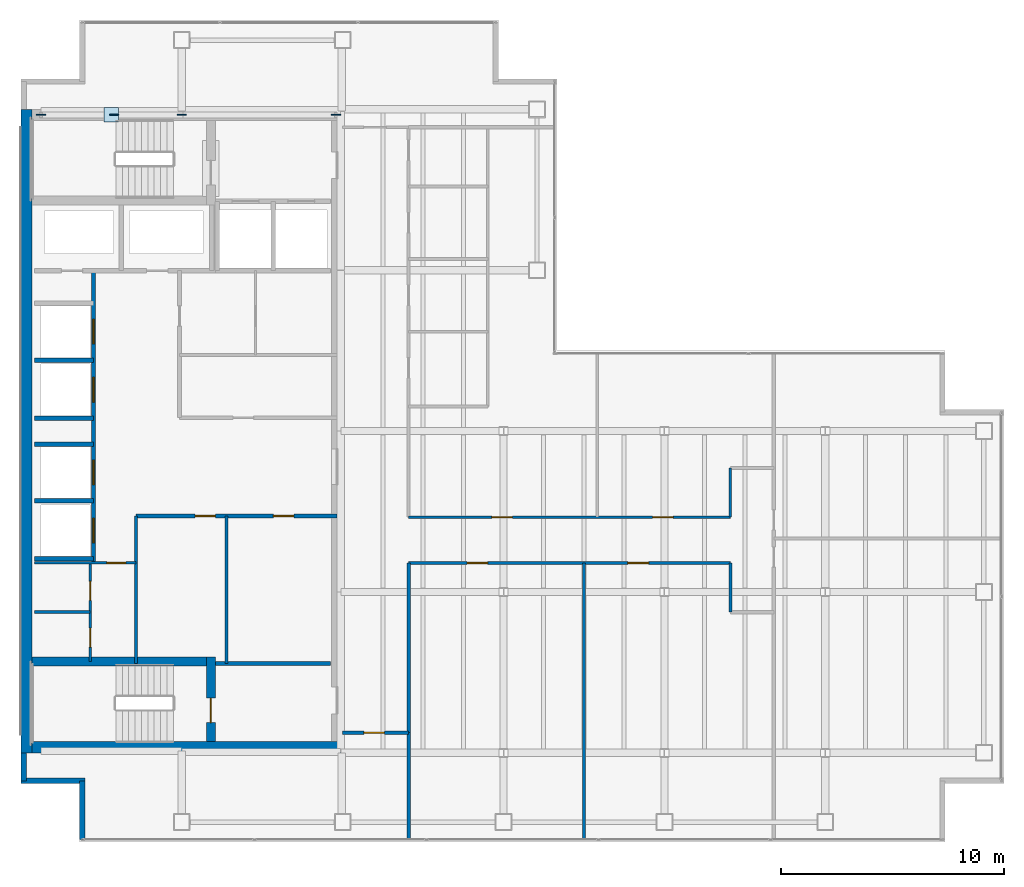
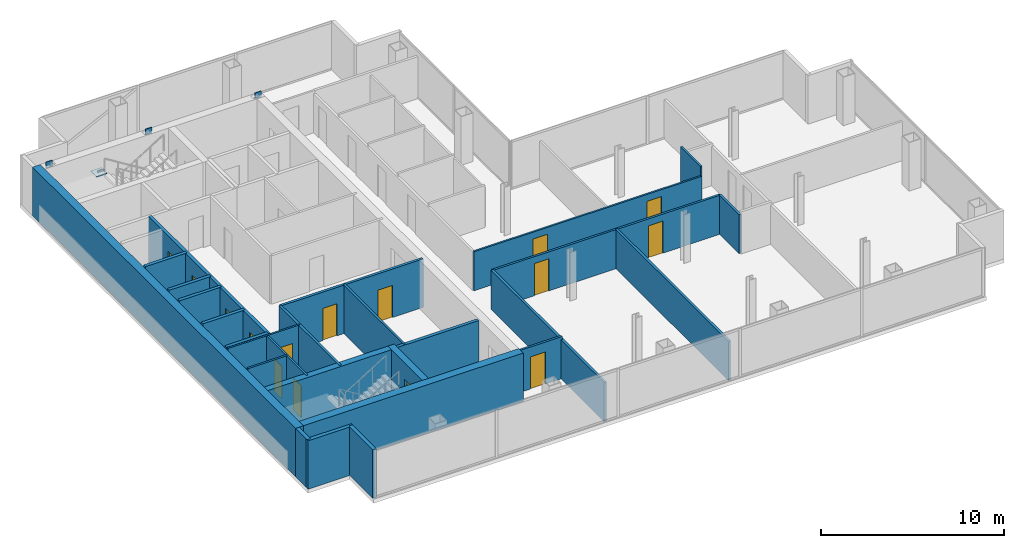
# One storey, part 20 of 23: 28 walls, 15 doors, 5 plates, 15 openings.
"""IFC4 building model written with IfcOpenShell, lengths in metres."""

import ifcopenshell
import ifcopenshell.guid

model = None  # the IFC model being written
_history = None  # IfcOwnerHistory: only IFC2X3 demands one
_inside = {}  # id of a spatial element -> (the spatial element, [elements in it])
_under = {}  # id of a project, library or spatial element -> (it, [spatial elements below it])
_declared = {}  # id of a project -> (the project, [libraries it declares])
_typed = {}  # id of a type object -> (the type object, [elements of that type])
_made_of = {}  # id of a material, layer set ... -> (it, [elements and type objects made of it])


def new_model(schema):
    """Start an empty IFC model of exactly this schema.

    Asked for "IFC4X3", IfcOpenShell would pick the latest addendum, in which some entities
    have other attributes; the version numbers below select the first issue.
    IFC2X3 requires an IfcOwnerHistory on every rooted entity: one is made here for all.
    """
    global model, _history
    if schema == "IFC4X3":
        model = ifcopenshell.file(schema_version=(4, 3, 0, 0))
    else:
        model = ifcopenshell.file(schema=schema)
    _inside.clear()
    _under.clear()
    _declared.clear()
    _typed.clear()
    _made_of.clear()
    _history = None
    if model.schema == "IFC2X3":
        org = make("IfcOrganization", Name="unknown")
        user = make(
            "IfcPersonAndOrganization",
            ThePerson=make("IfcPerson", FamilyName="unknown"),
            TheOrganization=org,
        )
        app = make(
            "IfcApplication",
            ApplicationDeveloper=org,
            Version="unknown",
            ApplicationFullName="unknown",
            ApplicationIdentifier="unknown",
        )
        _history = make(
            "IfcOwnerHistory",
            OwningUser=user,
            OwningApplication=app,
            ChangeAction="ADDED",
            CreationDate=0,
        )
    return model


def make(cls, **values):
    """One entity of the class cls with the attributes given. An attribute that is None is left unset."""
    return model.create_entity(
        cls, **{name: value for name, value in values.items() if value is not None}
    )


def rooted(cls, **values):
    """An entity with a GlobalId (a new one), such as an element, a storey or a relation."""
    return make(cls, GlobalId=ifcopenshell.guid.new(), OwnerHistory=_history, **values)


def si_unit(unit_type, name, prefix=None):
    """IfcSIUnit, for example si_unit("LENGTHUNIT", "METRE", prefix="MILLI")."""
    return make("IfcSIUnit", UnitType=unit_type, Prefix=prefix, Name=name)


def assignment(units):
    """IfcUnitAssignment: the units of a project."""
    return None if units is None else make("IfcUnitAssignment", Units=units)


def point(xyz):
    """IfcCartesianPoint."""
    return None if xyz is None else make("IfcCartesianPoint", Coordinates=xyz)


def direction(xyz):
    """IfcDirection."""
    return None if xyz is None else make("IfcDirection", DirectionRatios=xyz)


def frame(location, z_axis=None, x_axis=None):
    """IfcAxis2Placement3D, a coordinate frame: its origin and axes. An axis left out is left unset."""
    return make(
        "IfcAxis2Placement3D",
        Location=point(location),
        Axis=direction(z_axis),
        RefDirection=direction(x_axis),
    )


def frame_2d(location, x_axis=None):
    """IfcAxis2Placement2D, a coordinate frame in the plane: its origin and x axis."""
    return make(
        "IfcAxis2Placement2D", Location=point(location), RefDirection=direction(x_axis)
    )


def origin():
    """The frame at (0, 0, 0) with its axes left unset."""
    return frame((0.0, 0.0, 0.0))


def origin_2d():
    """The frame at (0, 0) in the plane with its x axis left unset."""
    return frame_2d((0.0, 0.0))


def place(relative_to, where):
    """IfcLocalPlacement: puts the frame where relative to a parent placement (None: the world)."""
    return make(
        "IfcLocalPlacement", PlacementRelTo=relative_to, RelativePlacement=where
    )


def context(
    kind, dimensions, precision=None, world=None, true_north=None, identifier=None
):
    """IfcGeometricRepresentationContext, for example the 3D "Model" context."""
    return make(
        "IfcGeometricRepresentationContext",
        ContextIdentifier=identifier,
        ContextType=kind,
        CoordinateSpaceDimension=dimensions,
        Precision=precision,
        WorldCoordinateSystem=world,
        TrueNorth=true_north,
    )


def subcontext(parent, identifier, kind, view, scale=None):
    """IfcGeometricRepresentationSubContext, for example "Body" below "Model"."""
    return make(
        "IfcGeometricRepresentationSubContext",
        ContextIdentifier=identifier,
        ContextType=kind,
        ParentContext=parent,
        TargetScale=scale,
        TargetView=view,
    )


def project(units=None, contexts=None):
    """IfcProject with its units and contexts."""
    return rooted(
        "IfcProject",
        Name="project",
        RepresentationContexts=contexts,
        UnitsInContext=assignment(units),
    )


def spatial(cls, under=None, at=None, **own):
    """A site, building, storey or space (cls), placed at a placement, below another one or the project."""
    s = rooted(cls, ObjectPlacement=at, **own)
    if under is not None:
        _under.setdefault(under.id(), (under, []))[1].append(s)
    return s


def profile(cls, at=None, kind="AREA", **sizes):
    """A parametric profile (cls). Its sizes go by their IFC names, for example OverallWidth=200.0."""
    return make(cls, ProfileType=kind, Position=at, **sizes)


def rectangle(**sizes):
    """IfcRectangleProfileDef."""
    return profile("IfcRectangleProfileDef", **sizes)


def extrude(swept, where, along, depth):
    """IfcExtrudedAreaSolid: the profile swept, set in the frame where, extruded along a direction by depth."""
    return make(
        "IfcExtrudedAreaSolid",
        SweptArea=swept,
        Position=where,
        ExtrudedDirection=direction(along),
        Depth=depth,
    )


def shape(context_of_items, identifier, shape_type, items):
    """IfcShapeRepresentation: the items that make up one representation, for example the "Body"."""
    return make(
        "IfcShapeRepresentation",
        ContextOfItems=context_of_items,
        RepresentationIdentifier=identifier,
        RepresentationType=shape_type,
        Items=items,
    )


def material(Name=None, Category=None):
    """IfcMaterial."""
    return make("IfcMaterial", Name=Name, Category=Category)


def layer(
    of_material, thickness, ventilated=None, Name=None, Category=None, Priority=None
):
    """IfcMaterialLayer: one layer of a wall or slab, of a material (None: an air gap)."""
    return make(
        "IfcMaterialLayer",
        Material=of_material,
        LayerThickness=thickness,
        IsVentilated=ventilated,
        Name=Name,
        Category=Category,
        Priority=Priority,
    )


def layer_set(layers, Name=None):
    """IfcMaterialLayerSet."""
    return make("IfcMaterialLayerSet", MaterialLayers=layers, LayerSetName=Name)


def made_of(thing, what):
    """Note that an element or type object is made of a material, layer set ...; save() writes the relation."""
    if what is not None:
        _made_of.setdefault(what.id(), (what, []))[1].append(thing)
    return thing


def type_object(cls, material=None, **own):
    """A type object (cls), such as IfcWallType, which elements share."""
    return made_of(rooted(cls, **own), material)


def element(
    cls,
    number,
    at=None,
    inside=None,
    cuts=None,
    type_object=None,
    material=None,
    context=None,
    identifier="Body",
    shape_type=None,
    held_by="IfcProductDefinitionShape",
    body=None,
    shapes=None,
    **own,
):
    """One element of the class cls, such as IfcWall. Its Tag is "e" and its number.

    at: its placement. inside: the storey or other place that contains it. cuts: it is an
    opening in that element (IfcRelVoidsElement). A single representation is given by context,
    identifier, shape_type and body (its items); several are given by shapes. held_by: the class
    of the entity that holds the representations. save() writes the other relations.
    """
    e = rooted(cls, Tag="e%d" % number, ObjectPlacement=at, **own)
    if body is not None:
        shapes = [shape(context, identifier, shape_type, body)]
    if shapes is not None:
        e.Representation = make(held_by, Representations=shapes)
    if inside is not None:
        _inside.setdefault(inside.id(), (inside, []))[1].append(e)
    if cuts is not None:
        rooted(
            "IfcRelVoidsElement", RelatingBuildingElement=cuts, RelatedOpeningElement=e
        )
    if type_object is not None:
        _typed.setdefault(type_object.id(), (type_object, []))[1].append(e)
    return made_of(e, material)


def fill(opening, filler):
    """IfcRelFillsElement: the door or window that sits in an opening."""
    return rooted(
        "IfcRelFillsElement",
        RelatingOpeningElement=opening,
        RelatedBuildingElement=filler,
    )


def aggregate(whole, parts):
    """IfcRelAggregates: a whole, such as a stair, and the parts it consists of."""
    return rooted("IfcRelAggregates", RelatingObject=whole, RelatedObjects=parts)


def save(model, path):
    """Write the relations noted so far, then the file.

    IfcRelAggregates (storeys below a building ...), IfcRelContainedInSpatialStructure (elements
    in a storey), IfcRelDefinesByType, IfcRelAssociatesMaterial and IfcRelDeclares: one each for
    every whole, place, type object, material and project.
    """
    for whole, parts in _under.values():
        aggregate(whole, parts)
    for where, things in _inside.values():
        rooted(
            "IfcRelContainedInSpatialStructure",
            RelatedElements=things,
            RelatingStructure=where,
        )
    for kind, things in _typed.values():
        rooted("IfcRelDefinesByType", RelatedObjects=things, RelatingType=kind)
    for what, things in _made_of.values():
        rooted("IfcRelAssociatesMaterial", RelatedObjects=things, RelatingMaterial=what)
    for by, libraries in _declared.values():
        rooted("IfcRelDeclares", RelatingContext=by, RelatedDefinitions=libraries)
    model.write(path)


model = new_model("IFC4")

# Units and contexts
model_context = context("Model", 3, precision=1e-05, world=origin(), true_north=direction((0.0, 1.0)))
body_context = subcontext(model_context, "Body", "Model", "MODEL_VIEW")
ifc_project = project(units=[si_unit("LENGTHUNIT", "METRE"), si_unit("AREAUNIT", "SQUARE_METRE"), si_unit("VOLUMEUNIT", "CUBIC_METRE"), si_unit("PLANEANGLEUNIT", "RADIAN"), si_unit("MASSUNIT", "GRAM", prefix="KILO")], contexts=[model_context])

# Site, building, storey
site_placement = place(None, origin())
site = spatial("IfcSite", under=ifc_project, at=site_placement, CompositionType="ELEMENT")
building_placement = place(site_placement, origin())
building = spatial("IfcBuilding", under=site, at=building_placement, Name="Cobrela Telecom Tower", CompositionType="ELEMENT")
storey_placement = place(building_placement, frame((0.0, 0.0, 215.25)))
storey = spatial("IfcBuildingStorey", under=building, at=storey_placement, Name="L55", CompositionType="ELEMENT", Elevation=215.25)

# Plates
ifc_material_1 = material(Name="Steel ASTM A572 Grade 50", Category="steel")
ifc_layer_1 = layer(ifc_material_1, 0.0419921875)
ifc_layer_set_1 = layer_set([ifc_layer_1], Name="Steel ASTM A572 Grade 50")
plate_type = type_object("IfcPlateType", Name="PLT-NODE-ND1", PredefinedType="USERDEFINED", material=ifc_layer_set_1)
for number, where, z_axis, x_axis, name in (
    (1, (7.199951171875, 35.75, 3.0751953125), (0.0, 0.0, 1.0), (1.0, 0.0, 0.0), "Steel node plate PLT-MBR-EXO-L55-N1-A-1"),
    (2, (4.173828125, 35.75, 1.349609375), (0.0, 0.0, 1.0), (-1.0, 0.0, 0.0), "Steel node plate PLT-MBR-EXO-L55-N1-B1-1"),
    (3, (0.89990234375, 35.75, 3.0751953125), (0.0, 0.0, 1.0), (-1.0, 0.0, 0.0), "Steel node plate PLT-MBR-EXO-L55-N1-B2-1"),
):
    element("IfcPlate", number, at=place(storey_placement, frame(where, z_axis=z_axis, x_axis=x_axis)), inside=storey, type_object=plate_type, Name=name, ObjectType="GUSSET PLATE", PredefinedType="USERDEFINED", context=body_context, shape_type="SweptSolid", body=[
        extrude(rectangle(XDim=0.409912109375, YDim=0.044921875, at=origin_2d()), origin(), (0.0, 0.0, 1.0), 0.409912109375),
    ])
plate_1_placement = place(storey_placement, frame((4.050048828125, 35.75, 1.59765625), z_axis=(0.0, 0.0, 1.0), x_axis=(1.0, 0.0, 0.0)))
element("IfcPlate", 4, at=plate_1_placement, inside=storey, type_object=plate_type, Name="L55 Core Flange Steel X-Brace Central X-Crossing Gusset Plate", ObjectType="GUSSET PLATE", PredefinedType="USERDEFINED", context=body_context, shape_type="SweptSolid", body=[
    extrude(rectangle(XDim=0.64990234375, YDim=0.64990234375, at=origin_2d()), origin(), (0.0, 0.0, 1.0), 0.044921875),
])
plate_2_placement = place(storey_placement, frame((14.10009765625, 35.75, 3.0751953125), z_axis=(0.0, 0.0, 1.0), x_axis=(1.0, 0.0, 0.0)))
element("IfcPlate", 5, at=plate_2_placement, inside=storey, type_object=plate_type, Name="Steel node plate PLT-MBR-EXO-L55-N2-1", ObjectType="GUSSET PLATE", PredefinedType="USERDEFINED", context=body_context, shape_type="SweptSolid", body=[
    extrude(rectangle(XDim=0.409912109375, YDim=0.044921875, at=origin_2d()), origin(), (0.0, 0.0, 1.0), 0.409912109375),
])

# Walls
ifc_material_2 = material(Name="Concrete C40/50", Category="concrete")
ifc_layer_2 = layer(ifc_material_2, 0.5)
ifc_layer_set_2 = layer_set([ifc_layer_2], Name="Concrete C40/50")
wall_type_1 = type_object("IfcWallType", Name="WALL-CORE-C40-500", PredefinedType="SHEAR", material=ifc_layer_set_2)
wall_1_placement = place(storey_placement, frame((0.25, 7.199951171875, 0.0), z_axis=(0.0, 0.0, 1.0), x_axis=(0.0, 1.0, 0.0)))
element("IfcWall", 6, at=wall_1_placement, inside=storey, type_object=wall_type_1, Name="L55 West Core Shear Wall", PredefinedType="SHEAR", context=body_context, shape_type="SweptSolid", body=[
    extrude(rectangle(XDim=28.800048828125, YDim=0.5, at=frame_2d((14.39990234375, 0.0))), origin(), (0.0, 0.0, 1.0), 3.239990234375),
])
wall_2_placement = place(storey_placement, frame((0.5, 7.449951171875, 0.0), z_axis=(0.0, 0.0, 1.0), x_axis=(1.0, 0.0, 0.0)))
element("IfcWall", 7, at=wall_2_placement, inside=storey, type_object=wall_type_1, Name="L55 South Core Shear Wall", PredefinedType="SHEAR", context=body_context, shape_type="SweptSolid", body=[
    extrude(rectangle(XDim=13.89990234375, YDim=0.5, at=frame_2d((6.949951171875, 0.0))), origin(), (0.0, 0.0, 1.0), 3.239990234375),
])
ifc_layer_3 = layer(ifc_material_2, 0.239990234375)
ifc_layer_set_3 = layer_set([ifc_layer_3], Name="Concrete C40/50")
wall_type_2 = type_object("IfcWallType", Name="WALL-EXT-300", PredefinedType="STANDARD", material=ifc_layer_set_3)
wall_3_placement = place(storey_placement, frame((2.75, 3.320068359375, 0.0), z_axis=(0.0, 0.0, 1.0), x_axis=(0.0, 1.0, 0.0)))
element("IfcWall", 8, at=wall_3_placement, inside=storey, type_object=wall_type_2, Name="L55 Insulated Facade Wall 01", PredefinedType="STANDARD", context=body_context, shape_type="SweptSolid", body=[
    extrude(rectangle(XDim=2.6298828125, YDim=0.239990234375, at=frame_2d((1.31494140625, 0.0))), origin(), (0.0, 0.0, 1.0), 3.239990234375),
])
wall_4_placement = place(storey_placement, frame((2.8701171875, 5.949951171875, 0.0), z_axis=(0.0, 0.0, 1.0), x_axis=(-1.0, 0.0, 0.0)))
element("IfcWall", 9, at=wall_4_placement, inside=storey, type_object=wall_type_2, Name="L55 Insulated Facade Wall 02", PredefinedType="STANDARD", context=body_context, shape_type="SweptSolid", body=[
    extrude(rectangle(XDim=2.8701171875, YDim=0.239990234375, at=frame_2d((1.43505859375, 0.0))), origin(), (0.0, 0.0, 1.0), 3.239990234375),
])
wall_5_placement = place(storey_placement, frame((0.1201171875, 5.949951171875, 0.0), z_axis=(0.0, 0.0, 1.0), x_axis=(0.0, 1.0, 0.0)))
element("IfcWall", 10, at=wall_5_placement, inside=storey, type_object=wall_type_2, Name="L55 Insulated Facade Wall 03", PredefinedType="STANDARD", context=body_context, shape_type="SweptSolid", body=[
    extrude(rectangle(XDim=1.25, YDim=0.239990234375, at=frame_2d((0.625, 0.0))), origin(), (0.0, 0.0, 1.0), 3.239990234375),
])

# Wall, opening, door
ifc_material_3 = material(Name="Fire-Rated Gypsum Plasterboard")
ifc_layer_4 = layer(ifc_material_3, 0.110107421875)
ifc_layer_set_4 = layer_set([ifc_layer_4], Name="Fire-Rated Gypsum Plasterboard")
wall_type_3 = type_object("IfcWallType", Name="WALL-PART-110", PredefinedType="PARTITIONING", material=ifc_layer_set_4)
wall_6_placement = place(storey_placement, frame((0.60009765625, 15.699951171875, 0.0), z_axis=(0.0, 0.0, 1.0), x_axis=(1.0, 0.0, 0.0)))
wall_6 = element("IfcWall", 11, at=wall_6_placement, inside=storey, type_object=wall_type_3, Name="L55 Interior Partition CW-FLEX-N", PredefinedType="PARTITIONING", context=body_context, shape_type="SweptSolid", body=[
    extrude(rectangle(XDim=4.5498046875, YDim=0.110107421875, at=frame_2d((2.27490234375, 0.0))), origin(), (0.0, 0.0, 1.0), 3.239990234375),
])
opening_1_placement = place(wall_6_placement, frame((3.25, 0.0, 0.0)))
opening_1 = element("IfcOpeningElement", 12, at=opening_1_placement, cuts=wall_6, Name="Opening DR-11", PredefinedType="OPENING", context=body_context, shape_type="SweptSolid", body=[
    extrude(rectangle(XDim=0.85009765625, YDim=2.14990234375, at=frame_2d((0.425048828125, 1.074951171875))), frame((0.0, 0.06689453125, 0.0), z_axis=(0.0, -1.0, 0.0), x_axis=(1.0, 0.0, 0.0)), (0.0, 0.0, 1.0), 0.134033203125),
])
ifc_material_4 = material(Name="Solid Engineered Oak Timber", Category="wood")
door_type_1 = type_object("IfcDoorType", Name="DOOR-INT-850", OperationType="SINGLE_SWING_LEFT", PredefinedType="DOOR", material=ifc_material_4)
door_1_placement = place(opening_1_placement, origin())
door_1 = element("IfcDoor", 13, at=door_1_placement, inside=storey, type_object=door_type_1, Name="L55 Door DR-11", OperationType="SINGLE_SWING_LEFT", OverallHeight=2.14990234375, OverallWidth=0.85009765625, PredefinedType="DOOR", context=body_context, shape_type="SweptSolid", body=[
    extrude(rectangle(XDim=0.85009765625, YDim=2.14990234375, at=frame_2d((0.425048828125, 1.074951171875))), frame((0.0, 0.02490234375, 0.0), z_axis=(0.0, -1.0, 0.0), x_axis=(1.0, 0.0, 0.0)), (0.0, 0.0, 1.0), 0.050048828125),
])
fill(opening_1, door_1)

# Wall, openings, doors
wall_7_placement = place(storey_placement, frame((17.35009765625, 17.75, 0.0), z_axis=(0.0, 0.0, 1.0), x_axis=(1.0, 0.0, 0.0)))
wall_7 = element("IfcWall", 14, at=wall_7_placement, inside=storey, type_object=wall_type_3, Name="L55 Interior Partition W-C-HN", PredefinedType="PARTITIONING", context=body_context, shape_type="SweptSolid", body=[
    extrude(rectangle(XDim=14.39990234375, YDim=0.110107421875, at=frame_2d((7.199951171875, 0.0))), origin(), (0.0, 0.0, 1.0), 2.613037109375),
])
opening_2_placement = place(wall_7_placement, frame((3.72998046875, 0.0, 0.0)))
opening_2 = element("IfcOpeningElement", 15, at=opening_2_placement, cuts=wall_7, Name="Opening DR-45", PredefinedType="OPENING", context=body_context, shape_type="SweptSolid", body=[
    extrude(rectangle(XDim=0.919921875, YDim=2.14990234375, at=frame_2d((0.4599609375, 1.074951171875))), frame((0.0, 0.06689453125, 0.0), z_axis=(0.0, -1.0, 0.0), x_axis=(1.0, 0.0, 0.0)), (0.0, 0.0, 1.0), 0.134033203125),
])
opening_3_placement = place(wall_7_placement, frame((10.919921875, 0.0, 0.0)))
opening_3 = element("IfcOpeningElement", 16, at=opening_3_placement, cuts=wall_7, Name="Opening DR-45", PredefinedType="OPENING", context=body_context, shape_type="SweptSolid", body=[
    extrude(rectangle(XDim=0.919921875, YDim=2.14990234375, at=frame_2d((0.4599609375, 1.074951171875))), frame((0.0, 0.06689453125, 0.0), z_axis=(0.0, -1.0, 0.0), x_axis=(1.0, 0.0, 0.0)), (0.0, 0.0, 1.0), 0.134033203125),
])
door_type_2 = type_object("IfcDoorType", Name="DOOR-INT-920", OperationType="SINGLE_SWING_LEFT", PredefinedType="DOOR", material=ifc_material_4)
door_2_placement = place(opening_2_placement, origin())
door_2 = element("IfcDoor", 17, at=door_2_placement, inside=storey, type_object=door_type_2, Name="L55 Door DR-45", OperationType="SINGLE_SWING_LEFT", OverallHeight=2.14990234375, OverallWidth=0.919921875, PredefinedType="DOOR", context=body_context, shape_type="SweptSolid", body=[
    extrude(rectangle(XDim=0.919921875, YDim=2.14990234375, at=frame_2d((0.4599609375, 1.074951171875))), frame((0.0, 0.02490234375, 0.0), z_axis=(0.0, -1.0, 0.0), x_axis=(1.0, 0.0, 0.0)), (0.0, 0.0, 1.0), 0.050048828125),
])
fill(opening_2, door_2)
door_3_placement = place(opening_3_placement, origin())
door_3 = element("IfcDoor", 18, at=door_3_placement, inside=storey, type_object=door_type_2, Name="L55 Door DR-45", OperationType="SINGLE_SWING_RIGHT", OverallHeight=2.14990234375, OverallWidth=0.919921875, PredefinedType="DOOR", context=body_context, shape_type="SweptSolid", body=[
    extrude(rectangle(XDim=0.919921875, YDim=2.14990234375, at=frame_2d((0.4599609375, 1.074951171875))), frame((0.0, 0.02490234375, 0.0), z_axis=(0.0, -1.0, 0.0), x_axis=(1.0, 0.0, 0.0)), (0.0, 0.0, 1.0), 0.050048828125),
])
fill(opening_3, door_3)

# Walls
wall_8_placement = place(storey_placement, frame((31.75, 17.75, 0.0), z_axis=(0.0, 0.0, 1.0), x_axis=(0.0, 1.0, 0.0)))
element("IfcWall", 19, at=wall_8_placement, inside=storey, type_object=wall_type_3, Name="L55 Interior Partition W-CT-JW2", PredefinedType="PARTITIONING", context=body_context, shape_type="SweptSolid", body=[
    extrude(rectangle(XDim=2.199951171875, YDim=0.110107421875, at=frame_2d((1.10009765625, 0.0))), origin(), (0.0, 0.0, 1.0), 3.239990234375),
])
ifc_layer_5 = layer(ifc_material_3, 0.125)
ifc_layer_set_5 = layer_set([ifc_layer_5], Name="Fire-Rated Gypsum Plasterboard")
wall_type_4 = type_object("IfcWallType", Name="WALL-PART-125", PredefinedType="PARTITIONING", material=ifc_layer_set_5)
wall_9_placement = place(storey_placement, frame((0.60009765625, 13.5, 0.0), z_axis=(0.0, 0.0, 1.0), x_axis=(1.0, 0.0, 0.0)))
element("IfcWall", 20, at=wall_9_placement, inside=storey, type_object=wall_type_4, Name="L55 Interior Partition CW-FK3-H", PredefinedType="PARTITIONING", context=body_context, shape_type="SweptSolid", body=[
    extrude(rectangle(XDim=2.5, YDim=0.125, at=frame_2d((1.25, 0.0))), origin(), (0.0, 0.0, 1.0), 3.239990234375),
])

# Wall, openings, doors
wall_10_placement = place(storey_placement, frame((3.10009765625, 11.280029296875, 0.0), z_axis=(0.0, 0.0, 1.0), x_axis=(0.0, 1.0, 0.0)))
wall_10 = element("IfcWall", 21, at=wall_10_placement, inside=storey, type_object=wall_type_4, Name="L55 Interior Partition CW-FK3-V", PredefinedType="PARTITIONING", context=body_context, shape_type="SweptSolid", body=[
    extrude(rectangle(XDim=4.419921875, YDim=0.125, at=frame_2d((2.2099609375, 0.0))), origin(), (0.0, 0.0, 1.0), 3.239990234375),
])
opening_4_placement = place(wall_10_placement, frame((0.64990234375, 0.0, 0.0)))
opening_4 = element("IfcOpeningElement", 22, at=opening_4_placement, cuts=wall_10, Name="Opening DR-11", PredefinedType="OPENING", context=body_context, shape_type="SweptSolid", body=[
    extrude(rectangle(XDim=0.85009765625, YDim=2.14990234375, at=frame_2d((0.425048828125, 1.074951171875))), frame((0.0, 0.074462890625, 0.0), z_axis=(0.0, -1.0, 0.0), x_axis=(1.0, 0.0, 0.0)), (0.0, 0.0, 1.0), 0.14892578125),
])
opening_5_placement = place(wall_10_placement, frame((2.75, 0.0, 0.0)))
opening_5 = element("IfcOpeningElement", 23, at=opening_5_placement, cuts=wall_10, Name="Opening DR-11", PredefinedType="OPENING", context=body_context, shape_type="SweptSolid", body=[
    extrude(rectangle(XDim=0.85009765625, YDim=2.14990234375, at=frame_2d((0.425048828125, 1.074951171875))), frame((0.0, 0.074462890625, 0.0), z_axis=(0.0, -1.0, 0.0), x_axis=(1.0, 0.0, 0.0)), (0.0, 0.0, 1.0), 0.14892578125),
])
door_4_placement = place(opening_4_placement, origin())
door_4 = element("IfcDoor", 24, at=door_4_placement, inside=storey, type_object=door_type_1, Name="L55 Door DR-11", OperationType="SINGLE_SWING_LEFT", OverallHeight=2.14990234375, OverallWidth=0.85009765625, PredefinedType="DOOR", context=body_context, shape_type="SweptSolid", body=[
    extrude(rectangle(XDim=0.85009765625, YDim=2.14990234375, at=frame_2d((0.425048828125, 1.074951171875))), frame((0.0, 0.02490234375, 0.0), z_axis=(0.0, -1.0, 0.0), x_axis=(1.0, 0.0, 0.0)), (0.0, 0.0, 1.0), 0.050048828125),
])
fill(opening_4, door_4)
door_5_placement = place(opening_5_placement, origin())
door_5 = element("IfcDoor", 25, at=door_5_placement, inside=storey, type_object=door_type_1, Name="L55 Door DR-11", OperationType="SINGLE_SWING_RIGHT", OverallHeight=2.14990234375, OverallWidth=0.85009765625, PredefinedType="DOOR", context=body_context, shape_type="SweptSolid", body=[
    extrude(rectangle(XDim=0.85009765625, YDim=2.14990234375, at=frame_2d((0.425048828125, 1.074951171875))), frame((0.0, 0.02490234375, 0.0), z_axis=(0.0, -1.0, 0.0), x_axis=(1.0, 0.0, 0.0)), (0.0, 0.0, 1.0), 0.050048828125),
])
fill(opening_5, door_5)

# Wall
ifc_layer_6 = layer(ifc_material_3, 0.135009765625)
ifc_layer_set_6 = layer_set([ifc_layer_6], Name="Fire-Rated Gypsum Plasterboard")
wall_type_5 = type_object("IfcWallType", Name="WALL-PART-135", PredefinedType="PARTITIONING", material=ifc_layer_set_6)
wall_11_placement = place(storey_placement, frame((9.199951171875, 11.199951171875, 0.0), z_axis=(0.0, 0.0, 1.0), x_axis=(0.0, 1.0, 0.0)))
element("IfcWall", 26, at=wall_11_placement, inside=storey, type_object=wall_type_5, Name="L55 Interior Partition CW-RECM-V", PredefinedType="PARTITIONING", context=body_context, shape_type="SweptSolid", body=[
    extrude(rectangle(XDim=6.60009765625, YDim=0.135009765625, at=frame_2d((3.300048828125, 0.0))), origin(), (0.0, 0.0, 1.0), 3.239990234375),
])

# Wall, opening, door
wall_12_placement = place(storey_placement, frame((14.39990234375, 8.10009765625, 0.0), z_axis=(0.0, 0.0, 1.0), x_axis=(1.0, 0.0, 0.0)))
wall_12 = element("IfcWall", 27, at=wall_12_placement, inside=storey, type_object=wall_type_5, Name="L55 Interior Partition W-C-S0", PredefinedType="PARTITIONING", context=body_context, shape_type="SweptSolid", body=[
    extrude(rectangle(XDim=2.9501953125, YDim=0.135009765625, at=frame_2d((1.47509765625, 0.0))), origin(), (0.0, 0.0, 1.0), 2.80810546875),
])
opening_6_placement = place(wall_12_placement, frame((0.949951171875, 0.0, 0.0)))
opening_6 = element("IfcOpeningElement", 28, at=opening_6_placement, cuts=wall_12, Name="Opening DR-45", PredefinedType="OPENING", context=body_context, shape_type="SweptSolid", body=[
    extrude(rectangle(XDim=0.919921875, YDim=2.14990234375, at=frame_2d((0.4599609375, 1.074951171875))), frame((0.0, 0.07958984375, 0.0), z_axis=(0.0, -1.0, 0.0), x_axis=(1.0, 0.0, 0.0)), (0.0, 0.0, 1.0), 0.158935546875),
])
door_6_placement = place(opening_6_placement, origin())
door_6 = element("IfcDoor", 29, at=door_6_placement, inside=storey, type_object=door_type_2, Name="L55 Door DR-45", OperationType="SINGLE_SWING_RIGHT", OverallHeight=2.14990234375, OverallWidth=0.919921875, PredefinedType="DOOR", context=body_context, shape_type="SweptSolid", body=[
    extrude(rectangle(XDim=0.919921875, YDim=2.14990234375, at=frame_2d((0.4599609375, 1.074951171875))), frame((0.0, 0.02490234375, 0.0), z_axis=(0.0, -1.0, 0.0), x_axis=(1.0, 0.0, 0.0)), (0.0, 0.0, 1.0), 0.050048828125),
])
fill(opening_6, door_6)

# Wall, openings, doors
wall_13_placement = place(storey_placement, frame((17.35009765625, 15.699951171875, 0.0), z_axis=(0.0, 0.0, 1.0), x_axis=(1.0, 0.0, 0.0)))
wall_13 = element("IfcWall", 30, at=wall_13_placement, inside=storey, type_object=wall_type_5, Name="L55 Interior Partition W-C-HS", PredefinedType="PARTITIONING", context=body_context, shape_type="SweptSolid", body=[
    extrude(rectangle(XDim=14.39990234375, YDim=0.135009765625, at=frame_2d((7.199951171875, 0.0))), origin(), (0.0, 0.0, 1.0), 2.613037109375),
])
opening_7_placement = place(wall_13_placement, frame((2.6201171875, 0.0, 0.0)))
opening_7 = element("IfcOpeningElement", 31, at=opening_7_placement, cuts=wall_13, Name="Opening DR-45", PredefinedType="OPENING", context=body_context, shape_type="SweptSolid", body=[
    extrude(rectangle(XDim=0.919921875, YDim=2.14990234375, at=frame_2d((0.4599609375, 1.074951171875))), frame((0.0, 0.07958984375, 0.0), z_axis=(0.0, -1.0, 0.0), x_axis=(1.0, 0.0, 0.0)), (0.0, 0.0, 1.0), 0.158935546875),
])
opening_8_placement = place(wall_13_placement, frame((9.820068359375, 0.0, 0.0)))
opening_8 = element("IfcOpeningElement", 32, at=opening_8_placement, cuts=wall_13, Name="Opening DR-45", PredefinedType="OPENING", context=body_context, shape_type="SweptSolid", body=[
    extrude(rectangle(XDim=0.919921875, YDim=2.14990234375, at=frame_2d((0.4599609375, 1.074951171875))), frame((0.0, 0.07958984375, 0.0), z_axis=(0.0, -1.0, 0.0), x_axis=(1.0, 0.0, 0.0)), (0.0, 0.0, 1.0), 0.158935546875),
])
door_7_placement = place(opening_7_placement, origin())
door_7 = element("IfcDoor", 33, at=door_7_placement, inside=storey, type_object=door_type_2, Name="L55 Door DR-45", OperationType="SINGLE_SWING_LEFT", OverallHeight=2.14990234375, OverallWidth=0.919921875, PredefinedType="DOOR", context=body_context, shape_type="SweptSolid", body=[
    extrude(rectangle(XDim=0.919921875, YDim=2.14990234375, at=frame_2d((0.4599609375, 1.074951171875))), frame((0.0, 0.02490234375, 0.0), z_axis=(0.0, -1.0, 0.0), x_axis=(1.0, 0.0, 0.0)), (0.0, 0.0, 1.0), 0.050048828125),
])
fill(opening_7, door_7)
door_8_placement = place(opening_8_placement, origin())
door_8 = element("IfcDoor", 34, at=door_8_placement, inside=storey, type_object=door_type_2, Name="L55 Door DR-45", OperationType="SINGLE_SWING_RIGHT", OverallHeight=2.14990234375, OverallWidth=0.919921875, PredefinedType="DOOR", context=body_context, shape_type="SweptSolid", body=[
    extrude(rectangle(XDim=0.919921875, YDim=2.14990234375, at=frame_2d((0.4599609375, 1.074951171875))), frame((0.0, 0.02490234375, 0.0), z_axis=(0.0, -1.0, 0.0), x_axis=(1.0, 0.0, 0.0)), (0.0, 0.0, 1.0), 0.050048828125),
])
fill(opening_8, door_8)

# Walls
wall_14_placement = place(storey_placement, frame((31.75, 13.5, 0.0), z_axis=(0.0, 0.0, 1.0), x_axis=(0.0, 1.0, 0.0)))
element("IfcWall", 35, at=wall_14_placement, inside=storey, type_object=wall_type_5, Name="L55 Interior Partition W-CT-JW1", PredefinedType="PARTITIONING", context=body_context, shape_type="SweptSolid", body=[
    extrude(rectangle(XDim=2.199951171875, YDim=0.135009765625, at=frame_2d((1.10009765625, 0.0))), origin(), (0.0, 0.0, 1.0), 2.613037109375),
])
ifc_layer_7 = layer(ifc_material_3, 0.14990234375)
ifc_layer_set_7 = layer_set([ifc_layer_7], Name="Fire-Rated Gypsum Plasterboard")
wall_type_6 = type_object("IfcWallType", Name="WALL-PART-150", PredefinedType="PARTITIONING", material=ifc_layer_set_7)
wall_15_placement = place(storey_placement, frame((5.14990234375, 11.199951171875, 0.0), z_axis=(0.0, 0.0, 1.0), x_axis=(0.0, 1.0, 0.0)))
element("IfcWall", 36, at=wall_15_placement, inside=storey, type_object=wall_type_6, Name="L55 Interior Partition CW-RECM-W", PredefinedType="PARTITIONING", context=body_context, shape_type="SweptSolid", body=[
    extrude(rectangle(XDim=6.60009765625, YDim=0.14990234375, at=frame_2d((3.300048828125, 0.0))), origin(), (0.0, 0.0, 1.0), 3.239990234375),
])
wall_16_placement = place(storey_placement, frame((25.199951171875, 3.320068359375, 0.0), z_axis=(0.0, 0.0, 1.0), x_axis=(0.0, 1.0, 0.0)))
element("IfcWall", 37, at=wall_16_placement, inside=storey, type_object=wall_type_6, Name="L55 Interior Partition W-SV-1", PredefinedType="PARTITIONING", context=body_context, shape_type="SweptSolid", body=[
    extrude(rectangle(XDim=12.3798828125, YDim=0.14990234375, at=frame_2d((6.18994140625, 0.0))), origin(), (0.0, 0.0, 1.0), 2.613037109375),
])

# Wall, openings, doors
ifc_layer_8 = layer(ifc_material_3, 0.159912109375)
ifc_layer_set_8 = layer_set([ifc_layer_8], Name="Fire-Rated Gypsum Plasterboard")
wall_type_7 = type_object("IfcWallType", Name="WALL-PART-160", PredefinedType="PARTITIONING", material=ifc_layer_set_8)
wall_17_placement = place(storey_placement, frame((5.14990234375, 17.800048828125, 0.0), z_axis=(0.0, 0.0, 1.0), x_axis=(1.0, 0.0, 0.0)))
wall_17 = element("IfcWall", 38, at=wall_17_placement, inside=storey, type_object=wall_type_7, Name="L55 Interior Partition CW-RECM-N", PredefinedType="PARTITIONING", context=body_context, shape_type="SweptSolid", body=[
    extrude(rectangle(XDim=9.0, YDim=0.159912109375, at=frame_2d((4.5, 0.0))), origin(), (0.0, 0.0, 1.0), 3.239990234375),
])
opening_9_placement = place(wall_17_placement, frame((2.64990234375, 0.0, 0.0)))
opening_9 = element("IfcOpeningElement", 39, at=opening_9_placement, cuts=wall_17, Name="Opening DR-41", PredefinedType="OPENING", context=body_context, shape_type="SweptSolid", body=[
    extrude(rectangle(XDim=0.89990234375, YDim=2.14990234375, at=frame_2d((0.449951171875, 1.074951171875))), frame((0.0, 0.091796875, 0.0), z_axis=(0.0, -1.0, 0.0), x_axis=(1.0, 0.0, 0.0)), (0.0, 0.0, 1.0), 0.183837890625),
])
opening_10_placement = place(wall_17_placement, frame((6.14990234375, 0.0, 0.0)))
opening_10 = element("IfcOpeningElement", 40, at=opening_10_placement, cuts=wall_17, Name="Opening DR-45", PredefinedType="OPENING", context=body_context, shape_type="SweptSolid", body=[
    extrude(rectangle(XDim=0.919921875, YDim=2.14990234375, at=frame_2d((0.4599609375, 1.074951171875))), frame((0.0, 0.091796875, 0.0), z_axis=(0.0, -1.0, 0.0), x_axis=(1.0, 0.0, 0.0)), (0.0, 0.0, 1.0), 0.183837890625),
])
door_type_3 = type_object("IfcDoorType", Name="DOOR-INT-900", OperationType="SINGLE_SWING_LEFT", PredefinedType="DOOR", material=ifc_material_4)
door_9_placement = place(opening_9_placement, origin())
door_9 = element("IfcDoor", 41, at=door_9_placement, inside=storey, type_object=door_type_3, Name="L55 Door DR-41", OperationType="SINGLE_SWING_LEFT", OverallHeight=2.14990234375, OverallWidth=0.89990234375, PredefinedType="DOOR", context=body_context, shape_type="SweptSolid", body=[
    extrude(rectangle(XDim=0.89990234375, YDim=2.14990234375, at=frame_2d((0.449951171875, 1.074951171875))), frame((0.0, 0.02490234375, 0.0), z_axis=(0.0, -1.0, 0.0), x_axis=(1.0, 0.0, 0.0)), (0.0, 0.0, 1.0), 0.050048828125),
])
fill(opening_9, door_9)
door_10_placement = place(opening_10_placement, origin())
door_10 = element("IfcDoor", 42, at=door_10_placement, inside=storey, type_object=door_type_2, Name="L55 Door DR-45", OperationType="SINGLE_SWING_RIGHT", OverallHeight=2.14990234375, OverallWidth=0.919921875, PredefinedType="DOOR", context=body_context, shape_type="SweptSolid", body=[
    extrude(rectangle(XDim=0.919921875, YDim=2.14990234375, at=frame_2d((0.4599609375, 1.074951171875))), frame((0.0, 0.02490234375, 0.0), z_axis=(0.0, -1.0, 0.0), x_axis=(1.0, 0.0, 0.0)), (0.0, 0.0, 1.0), 0.050048828125),
])
fill(opening_10, door_10)

# Walls
wall_18_placement = place(storey_placement, frame((17.35009765625, 8.10009765625, 0.0), z_axis=(0.0, 0.0, 1.0), x_axis=(0.0, 1.0, 0.0)))
element("IfcWall", 43, at=wall_18_placement, inside=storey, type_object=wall_type_7, Name="L55 Interior Partition W-C-E1", PredefinedType="PARTITIONING", context=body_context, shape_type="SweptSolid", body=[
    extrude(rectangle(XDim=7.599853515625, YDim=0.159912109375, at=frame_2d((3.7998046875, 0.0))), origin(), (0.0, 0.0, 1.0), 2.613037109375),
])
wall_19_placement = place(storey_placement, frame((17.35009765625, 3.320068359375, 0.0), z_axis=(0.0, 0.0, 1.0), x_axis=(0.0, 1.0, 0.0)))
element("IfcWall", 44, at=wall_19_placement, inside=storey, type_object=wall_type_7, Name="L55 Interior Partition W-SW-E", PredefinedType="PARTITIONING", context=body_context, shape_type="SweptSolid", body=[
    extrude(rectangle(XDim=4.780029296875, YDim=0.159912109375, at=frame_2d((2.39013671875, 0.0))), origin(), (0.0, 0.0, 1.0), 2.613037109375),
])
ifc_layer_9 = layer(ifc_material_3, 0.199951171875)
ifc_layer_set_9 = layer_set([ifc_layer_9], Name="Fire-Rated Gypsum Plasterboard")
wall_type_8 = type_object("IfcWallType", Name="WALL-SHAFT-200", PredefinedType="PARTITIONING", material=ifc_layer_set_9)
wall_20_placement = place(storey_placement, frame((8.699951171875, 11.199951171875, 0.0), z_axis=(0.0, 0.0, 1.0), x_axis=(1.0, 0.0, 0.0)))
element("IfcWall", 45, at=wall_20_placement, inside=storey, type_object=wall_type_8, Name="L55 Shaft Enclosure CW-ST2L-N", PredefinedType="PARTITIONING", context=body_context, shape_type="SweptSolid", body=[
    extrude(rectangle(XDim=5.150146484375, YDim=0.199951171875, at=frame_2d((2.5751953125, 0.0))), origin(), (0.0, 0.0, 1.0), 3.239990234375),
])

# Wall, openings, doors
wall_21_placement = place(storey_placement, frame((3.25, 15.699951171875, 0.0), z_axis=(0.0, 0.0, 1.0), x_axis=(0.0, 1.0, 0.0)))
wall_21 = element("IfcWall", 46, at=wall_21_placement, inside=storey, type_object=wall_type_8, Name="L55 Shaft Enclosure CW-PLH-E", PredefinedType="PARTITIONING", context=body_context, shape_type="SweptSolid", body=[
    extrude(rectangle(XDim=13.080078125, YDim=0.199951171875, at=frame_2d((6.5400390625, 0.0))), origin(), (0.0, 0.0, 1.0), 3.239990234375),
])
opening_11_placement = place(wall_21_placement, frame((0.89990234375, 0.0, 0.0)))
opening_11 = element("IfcOpeningElement", 47, at=opening_11_placement, cuts=wall_21, Name="Opening LD-1", PredefinedType="OPENING", context=body_context, shape_type="SweptSolid", body=[
    extrude(rectangle(XDim=1.10009765625, YDim=2.199951171875, at=frame_2d((0.550048828125, 1.10009765625))), frame((0.0, 0.11181640625, 0.0), z_axis=(0.0, -1.0, 0.0), x_axis=(1.0, 0.0, 0.0)), (0.0, 0.0, 1.0), 0.223876953125),
])
opening_12_placement = place(wall_21_placement, frame((3.5, 0.0, 0.0)))
opening_12 = element("IfcOpeningElement", 48, at=opening_12_placement, cuts=wall_21, Name="Opening LD-1", PredefinedType="OPENING", context=body_context, shape_type="SweptSolid", body=[
    extrude(rectangle(XDim=1.10009765625, YDim=2.199951171875, at=frame_2d((0.550048828125, 1.10009765625))), frame((0.0, 0.11181640625, 0.0), z_axis=(0.0, -1.0, 0.0), x_axis=(1.0, 0.0, 0.0)), (0.0, 0.0, 1.0), 0.223876953125),
])
opening_13_placement = place(wall_21_placement, frame((7.199951171875, 0.0, 0.0)))
opening_13 = element("IfcOpeningElement", 49, at=opening_13_placement, cuts=wall_21, Name="Opening LD-1", PredefinedType="OPENING", context=body_context, shape_type="SweptSolid", body=[
    extrude(rectangle(XDim=1.10009765625, YDim=2.199951171875, at=frame_2d((0.550048828125, 1.10009765625))), frame((0.0, 0.11181640625, 0.0), z_axis=(0.0, -1.0, 0.0), x_axis=(1.0, 0.0, 0.0)), (0.0, 0.0, 1.0), 0.223876953125),
])
opening_14_placement = place(wall_21_placement, frame((9.800048828125, 0.0, 0.0)))
opening_14 = element("IfcOpeningElement", 50, at=opening_14_placement, cuts=wall_21, Name="Opening LD-1", PredefinedType="OPENING", context=body_context, shape_type="SweptSolid", body=[
    extrude(rectangle(XDim=1.10009765625, YDim=2.199951171875, at=frame_2d((0.550048828125, 1.10009765625))), frame((0.0, 0.11181640625, 0.0), z_axis=(0.0, -1.0, 0.0), x_axis=(1.0, 0.0, 0.0)), (0.0, 0.0, 1.0), 0.223876953125),
])
ifc_material_5 = material(Name="Steel ASTM A36", Category="steel")
door_type_4 = type_object("IfcDoorType", Name="DOOR-LD-PL", OperationType="SINGLE_SWING_LEFT", PredefinedType="DOOR", material=ifc_material_5)
door_11_placement = place(opening_11_placement, origin())
door_11 = element("IfcDoor", 51, at=door_11_placement, inside=storey, type_object=door_type_4, Name="L55 Lift Landing Door LD-1", OperationType="DOUBLE_DOOR_SLIDING", OverallHeight=2.199951171875, OverallWidth=1.10009765625, PredefinedType="DOOR", context=body_context, shape_type="SweptSolid", body=[
    extrude(rectangle(XDim=1.10009765625, YDim=2.199951171875, at=frame_2d((0.550048828125, 1.10009765625))), frame((0.0, 0.02490234375, 0.0), z_axis=(0.0, -1.0, 0.0), x_axis=(1.0, 0.0, 0.0)), (0.0, 0.0, 1.0), 0.050048828125),
])
fill(opening_11, door_11)
door_12_placement = place(opening_12_placement, origin())
door_12 = element("IfcDoor", 52, at=door_12_placement, inside=storey, type_object=door_type_4, Name="L55 Lift Landing Door LD-1", OperationType="DOUBLE_DOOR_SLIDING", OverallHeight=2.199951171875, OverallWidth=1.10009765625, PredefinedType="DOOR", context=body_context, shape_type="SweptSolid", body=[
    extrude(rectangle(XDim=1.10009765625, YDim=2.199951171875, at=frame_2d((0.550048828125, 1.10009765625))), frame((0.0, 0.02490234375, 0.0), z_axis=(0.0, -1.0, 0.0), x_axis=(1.0, 0.0, 0.0)), (0.0, 0.0, 1.0), 0.050048828125),
])
fill(opening_12, door_12)
door_13_placement = place(opening_13_placement, origin())
door_13 = element("IfcDoor", 53, at=door_13_placement, inside=storey, type_object=door_type_4, Name="L55 Lift Landing Door LD-1", OperationType="DOUBLE_DOOR_SLIDING", OverallHeight=2.199951171875, OverallWidth=1.10009765625, PredefinedType="DOOR", context=body_context, shape_type="SweptSolid", body=[
    extrude(rectangle(XDim=1.10009765625, YDim=2.199951171875, at=frame_2d((0.550048828125, 1.10009765625))), frame((0.0, 0.02490234375, 0.0), z_axis=(0.0, -1.0, 0.0), x_axis=(1.0, 0.0, 0.0)), (0.0, 0.0, 1.0), 0.050048828125),
])
fill(opening_13, door_13)
door_14_placement = place(opening_14_placement, origin())
door_14 = element("IfcDoor", 54, at=door_14_placement, inside=storey, type_object=door_type_4, Name="L55 Lift Landing Door LD-1", OperationType="DOUBLE_DOOR_SLIDING", OverallHeight=2.199951171875, OverallWidth=1.10009765625, PredefinedType="DOOR", context=body_context, shape_type="SweptSolid", body=[
    extrude(rectangle(XDim=1.10009765625, YDim=2.199951171875, at=frame_2d((0.550048828125, 1.10009765625))), frame((0.0, 0.02490234375, 0.0), z_axis=(0.0, -1.0, 0.0), x_axis=(1.0, 0.0, 0.0)), (0.0, 0.0, 1.0), 0.050048828125),
])
fill(opening_14, door_14)

# Walls
for number, where, z_axis, x_axis, name in (
    (55, (0.60009765625, 15.8798828125, 0.0), (0.0, 0.0, 1.0), (1.0, 0.0, 0.0), "L55 Shaft Enclosure CW-PLH-D9"),
    (56, (0.60009765625, 18.47998046875, 0.0), (0.0, 0.0, 1.0), (1.0, 0.0, 0.0), "L55 Shaft Enclosure CW-PLH-D10"),
    (57, (0.60009765625, 22.179931640625, 0.0), (0.0, 0.0, 1.0), (1.0, 0.0, 0.0), "L55 Shaft Enclosure CW-PLH-D11"),
    (58, (0.60009765625, 24.780029296875, 0.0), (0.0, 0.0, 1.0), (1.0, 0.0, 0.0), "L55 Shaft Enclosure CW-PLH-D12"),
    (59, (0.60009765625, 21.02001953125, 0.0), (0.0, 0.0, 1.0), (1.0, 0.0, 0.0), "L55 Shaft Enclosure CW-PLH-MID"),
):
    element("IfcWall", number, at=place(storey_placement, frame(where, z_axis=z_axis, x_axis=x_axis)), inside=storey, type_object=wall_type_8, Name=name, PredefinedType="PARTITIONING", context=body_context, shape_type="SweptSolid", body=[
        extrude(rectangle(XDim=2.64990234375, YDim=0.199951171875, at=frame_2d((1.324951171875, 0.0))), origin(), (0.0, 0.0, 1.0), 3.239990234375),
    ])
ifc_layer_10 = layer(ifc_material_2, 0.39990234375)
ifc_layer_set_10 = layer_set([ifc_layer_10], Name="Concrete C40/50")
wall_type_9 = type_object("IfcWallType", Name="WALL-SHAFT-C40-400", PredefinedType="SHEAR", material=ifc_layer_set_10)
wall_22_placement = place(storey_placement, frame((0.5, 11.280029296875, 0.0), z_axis=(0.0, 0.0, 1.0), x_axis=(1.0, 0.0, 0.0)))
element("IfcWall", 60, at=wall_22_placement, inside=storey, type_object=wall_type_9, Name="L55 South Stair Shear Wall", PredefinedType="SHEAR", context=body_context, shape_type="SweptSolid", body=[
    extrude(rectangle(XDim=7.800048828125, YDim=0.39990234375, at=frame_2d((3.89990234375, 0.0))), origin(), (0.0, 0.0, 1.0), 3.239990234375),
])

# Wall, opening, door
wall_23_placement = place(storey_placement, frame((8.5, 7.699951171875, 0.0), z_axis=(0.0, 0.0, 1.0), x_axis=(0.0, 1.0, 0.0)))
wall_23 = element("IfcWall", 61, at=wall_23_placement, inside=storey, type_object=wall_type_9, Name="L55 South Stair Lobby Shear Wall", PredefinedType="SHEAR", context=body_context, shape_type="SweptSolid", body=[
    extrude(rectangle(XDim=3.780029296875, YDim=0.39990234375, at=frame_2d((1.89013671875, 0.0))), origin(), (0.0, 0.0, 1.0), 3.239990234375),
])
opening_15_placement = place(wall_23_placement, frame((0.85009765625, 0.0, 0.0)))
opening_15 = element("IfcOpeningElement", 62, at=opening_15_placement, cuts=wall_23, Name="Opening FD-90", PredefinedType="OPENING", context=body_context, shape_type="SweptSolid", body=[
    extrude(rectangle(XDim=1.10009765625, YDim=2.14990234375, at=frame_2d((0.550048828125, 1.074951171875))), frame((0.0, 0.2119140625, 0.0), z_axis=(0.0, -1.0, 0.0), x_axis=(1.0, 0.0, 0.0)), (0.0, 0.0, 1.0), 0.423828125),
])
door_type_5 = type_object("IfcDoorType", Name="DOOR-FD90-1100", OperationType="SINGLE_SWING_LEFT", PredefinedType="DOOR", material=ifc_material_5)
door_15_placement = place(opening_15_placement, origin())
door_15 = element("IfcDoor", 63, at=door_15_placement, inside=storey, type_object=door_type_5, Name="L55 Door FD-90", OperationType="SINGLE_SWING_LEFT", OverallHeight=2.14990234375, OverallWidth=1.10009765625, PredefinedType="DOOR", context=body_context, shape_type="SweptSolid", body=[
    extrude(rectangle(XDim=1.10009765625, YDim=2.14990234375, at=frame_2d((0.550048828125, 1.074951171875))), frame((0.0, 0.02490234375, 0.0), z_axis=(0.0, -1.0, 0.0), x_axis=(1.0, 0.0, 0.0)), (0.0, 0.0, 1.0), 0.050048828125),
])
fill(opening_15, door_15)

save(model, "model.ifc")
